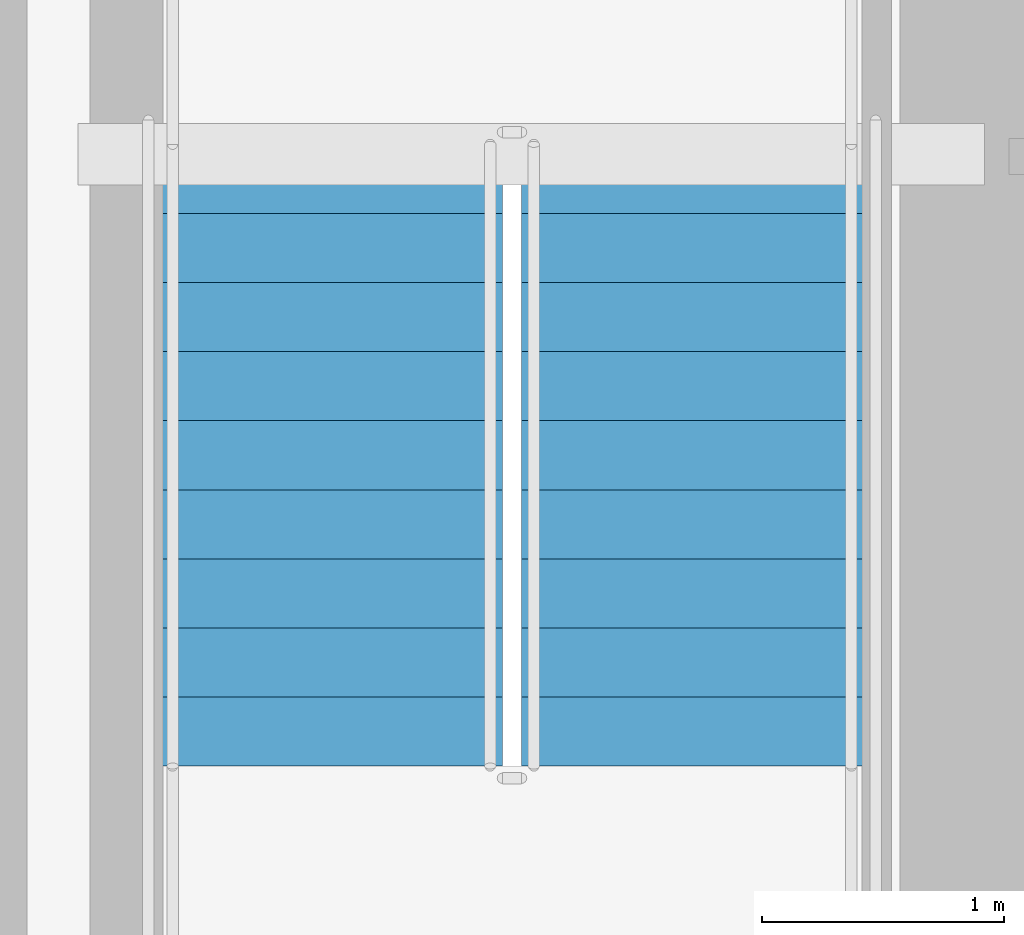
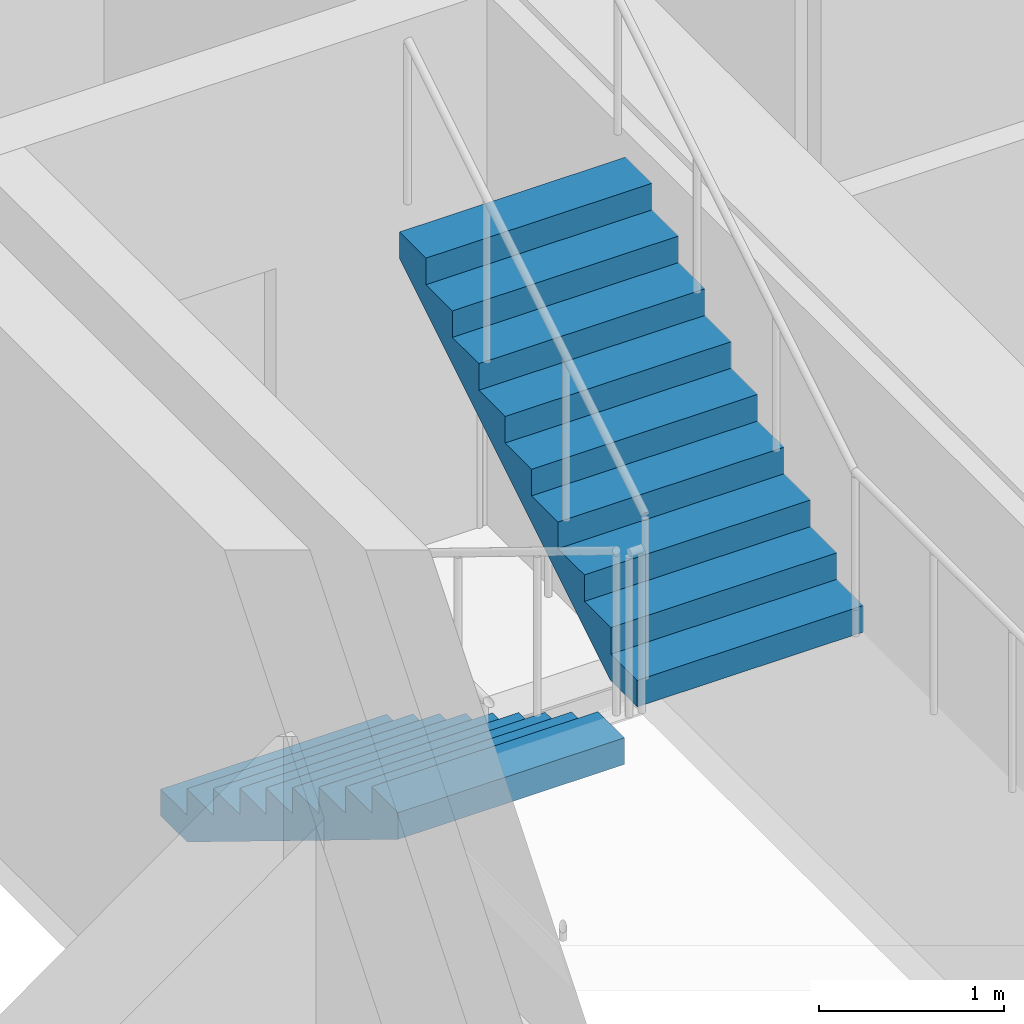
# One storey, part 17 of 20: 2 stair flights, 1 element without a shape of its own.
"""IFC4 building model written with IfcOpenShell, lengths in metres."""

from ifc_helpers import new_model, si_unit, direction, frame, origin, place, context, subcontext, project, spatial, polyline, outline, extrude, material, type_object, element, aggregate, save


model = new_model("IFC4")

# Units and contexts
model_context = context("Model", 3, precision=1e-05, world=origin(), true_north=direction((0.0, 1.0)))
body_context = subcontext(model_context, "Body", "Model", "MODEL_VIEW")
ifc_project = project(units=[si_unit("LENGTHUNIT", "METRE"), si_unit("AREAUNIT", "SQUARE_METRE"), si_unit("VOLUMEUNIT", "CUBIC_METRE"), si_unit("PLANEANGLEUNIT", "RADIAN"), si_unit("MASSUNIT", "GRAM", prefix="KILO")], contexts=[model_context])

# Site, building, storey
site_placement = place(None, origin())
site = spatial("IfcSite", under=ifc_project, at=site_placement, CompositionType="ELEMENT")
building_placement = place(site_placement, origin())
building = spatial("IfcBuilding", under=site, at=building_placement, Name="Bramvorn Convention Spire", CompositionType="ELEMENT")
storey_placement = place(building_placement, frame((0.0, 0.0, 144.800048828125)))
storey = spatial("IfcBuildingStorey", under=building, at=storey_placement, Name="L36", CompositionType="ELEMENT", Elevation=144.800048828125)

# Stair, stair flights
ifc_material_1 = material(Name="Concrete C40/50 Precast Stair", Category="concrete")
stair_type = type_object("IfcStairType", Name="ST-TOWER-1550", PredefinedType="HALF_TURN_STAIR", material=ifc_material_1)
stair_placement = place(storey_placement, origin())
stair = element("IfcStair", 1, at=stair_placement, inside=storey, type_object=stair_type, Name="L36 Protected Exit Stair ST2", PredefinedType="HALF_TURN_STAIR")
ifc_material_2 = material(Name="Concrete C40/50 Precast Stair Flight", Category="concrete")
stair_flight_type = type_object("IfcStairFlightType", Name="STF-TOWER-1550", PredefinedType="STRAIGHT", material=ifc_material_2)
stair_flight_1_placement = place(storey_placement, frame((46.35498046875, 25.050048828125, 0.0), z_axis=(0.0, 0.0, 1.0), x_axis=(0.0, -1.0, 0.0)))
stair_flight_1 = element("IfcStairFlight", 2, at=stair_flight_1_placement, type_object=stair_flight_type, Name="ST2 flight 1", NumberOfRisers=10, NumberOfTreads=9, PredefinedType="STRAIGHT", RiserHeight=0.175, TreadLength=0.285, context=body_context, shape_type="SweptSolid", body=[
    extrude(outline(polyline([(0.0, 0.0), (0.0, 0.175048828125), (0.284912109375, 0.175048828125), (0.284912109375, 0.35009765625), (0.570068359375, 0.35009765625), (0.570068359375, 0.52490234375), (0.85498046875, 0.52490234375), (0.85498046875, 0.699951171875), (1.139892578125, 0.699951171875), (1.139892578125, 0.875), (1.425048828125, 0.875), (1.425048828125, 1.050048828125), (1.7099609375, 1.050048828125), (1.7099609375, 1.22509765625), (1.9951171875, 1.22509765625), (1.9951171875, 1.39990234375), (2.280029296875, 1.39990234375), (2.280029296875, 1.574951171875), (2.56494140625, 1.574951171875), (2.56494140625, 1.75), (2.56494140625, 1.399169921875), (0.286376953125, 0.0), (0.0, 0.0)])), frame((0.0, 0.705078125, 0.0), z_axis=(0.0, -1.0, 0.0), x_axis=(1.0, 0.0, 0.0)), (0.0, 0.0, 1.0), 1.409912109375),
])
stair_flight_2_placement = place(storey_placement, frame((47.844970703125, 22.485107421875, 1.75), z_axis=(0.0, 0.0, 1.0), x_axis=(0.0, 1.0, 0.0)))
stair_flight_2 = element("IfcStairFlight", 3, at=stair_flight_2_placement, type_object=stair_flight_type, Name="ST2 flight 2", NumberOfRisers=10, NumberOfTreads=9, PredefinedType="STRAIGHT", RiserHeight=0.175, TreadLength=0.285, context=body_context, shape_type="SweptSolid", body=[
    extrude(outline(polyline([(0.0, 0.0), (0.0, 0.175048828125), (0.284912109375, 0.175048828125), (0.284912109375, 0.35009765625), (0.570068359375, 0.35009765625), (0.570068359375, 0.52490234375), (0.85498046875, 0.52490234375), (0.85498046875, 0.699951171875), (1.139892578125, 0.699951171875), (1.139892578125, 0.875), (1.425048828125, 0.875), (1.425048828125, 1.050048828125), (1.7099609375, 1.050048828125), (1.7099609375, 1.22509765625), (1.9951171875, 1.22509765625), (1.9951171875, 1.39990234375), (2.280029296875, 1.39990234375), (2.280029296875, 1.574951171875), (2.56494140625, 1.574951171875), (2.56494140625, 1.75), (2.56494140625, 1.399169921875), (0.286376953125, 0.0), (0.0, 0.0)])), frame((0.0, 0.705078125, 0.0), z_axis=(0.0, -1.0, 0.0), x_axis=(1.0, 0.0, 0.0)), (0.0, 0.0, 1.0), 1.409912109375),
])
aggregate(stair, [stair_flight_1, stair_flight_2])

save(model, "model.ifc")
